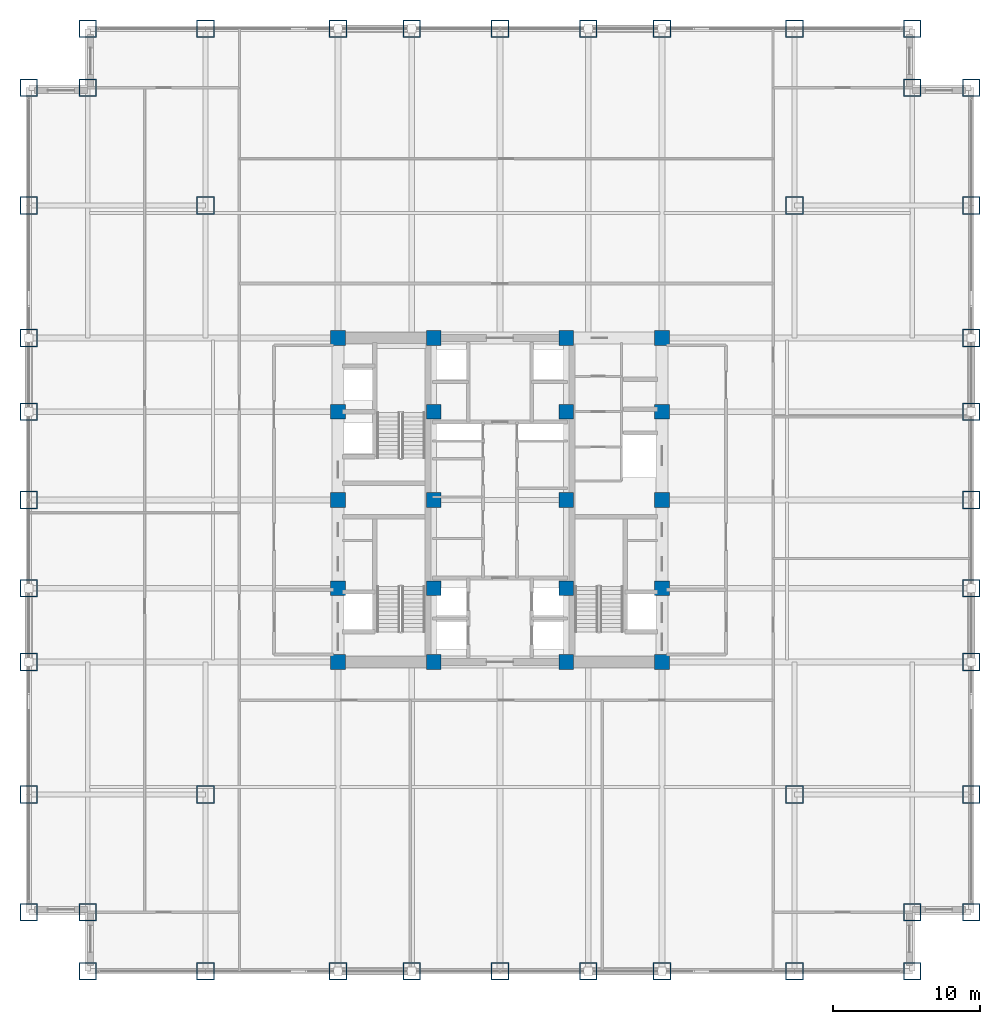
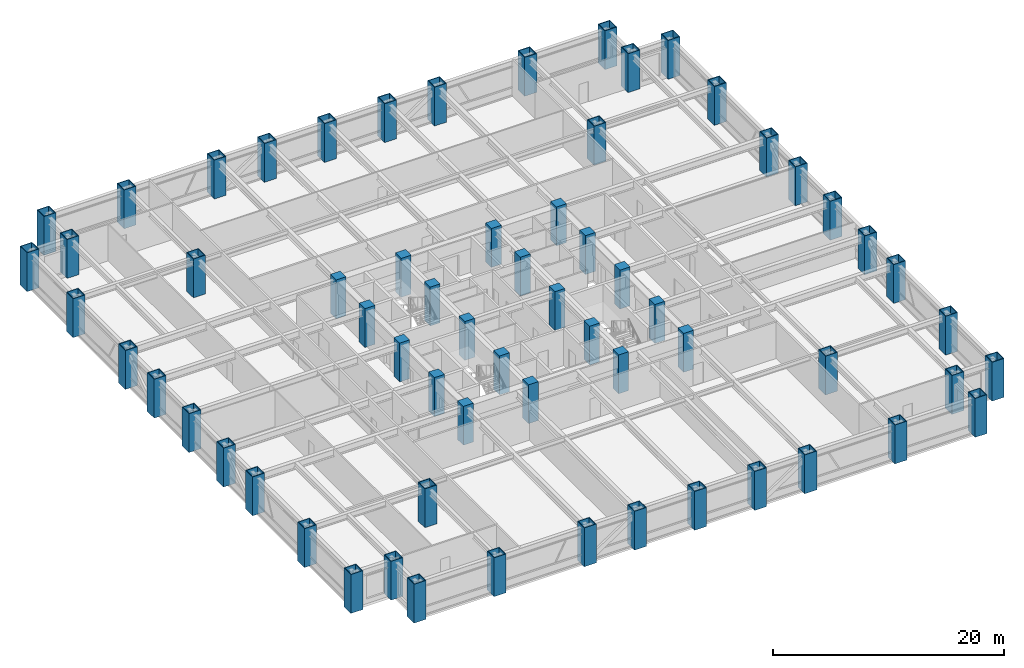
# One storey, part 1 of 27: 64 columns.
"""IFC4 building model written with IfcOpenShell, lengths in metres."""

from ifc_helpers import new_model, si_unit, direction, frame, origin, origin_2d, place, context, subcontext, project, spatial, rectangle, hollow_rectangle, extrude, source, transform, mapped, material, material_profile, profile_set, type_object, element, save


model = new_model("IFC4")

# Units and contexts
model_context = context("Model", 3, precision=1e-05, world=origin(), true_north=direction((0.0, 1.0)))
body_context = subcontext(model_context, "Body", "Model", "MODEL_VIEW")
ifc_project = project(units=[si_unit("LENGTHUNIT", "METRE"), si_unit("AREAUNIT", "SQUARE_METRE"), si_unit("VOLUMEUNIT", "CUBIC_METRE"), si_unit("PLANEANGLEUNIT", "RADIAN"), si_unit("MASSUNIT", "GRAM", prefix="KILO")], contexts=[model_context])

# Site, building, storey
site_placement = place(None, origin())
site = spatial("IfcSite", under=ifc_project, at=site_placement, CompositionType="ELEMENT")
building_placement = place(site_placement, origin())
building = spatial("IfcBuilding", under=site, at=building_placement, Name="Khorayat Bourse Tower", CompositionType="ELEMENT")
storey_placement = place(building_placement, frame((0.0, 0.0, 111.89990234375)))
storey = spatial("IfcBuildingStorey", under=building, at=storey_placement, Name="L25", CompositionType="ELEMENT", Elevation=111.89990234375)

# Columns
ifc_material_1 = material(Name="Steel EN 10025-4 S460M", Category="steel")
ifc_material_profile_1 = material_profile(ifc_material_1, hollow_rectangle(XDim=1.199951171875, YDim=1.199951171875, WallThickness=0.070068359375, at=origin_2d()), Name="BOX 1200x1200x70")
ifc_profile_set_1 = profile_set([ifc_material_profile_1], Name="Steel EN 10025-4 S460M")
column_type_1 = type_object("IfcColumnType", Name="COL-TUBE-1200", PredefinedType="COLUMN", material=ifc_profile_set_1)
shared_shape_1 = source(origin(), body_context, "Body", "SweptSolid", [
    extrude(hollow_rectangle(XDim=1.199951171875, YDim=1.199951171875, WallThickness=0.070068359375, at=origin_2d()), origin(), (0.0, 0.0, 1.0), 4.10009765625),
])
for number, where, z_axis, x_axis, name in (
    (1, (-32.0, -28.0, 0.0), (0.0, 0.0, 1.0), (1.0, 0.0, 0.0), "L25 Column 001"),
    (2, (-32.0, -20.0, 0.0), (0.0, 0.0, 1.0), (1.0, 0.0, 0.0), "L25 Column 002"),
    (3, (-32.0, -11.0, 0.0), (0.0, 0.0, 1.0), (1.0, 0.0, 0.0), "L25 Column 003"),
    (4, (-32.0, -6.0, 0.0), (0.0, 0.0, 1.0), (1.0, 0.0, 0.0), "L25 Column 004"),
    (5, (-32.0, 0.0, 0.0), (0.0, 0.0, 1.0), (1.0, 0.0, 0.0), "L25 Column 005"),
    (6, (-32.0, 6.0, 0.0), (0.0, 0.0, 1.0), (1.0, 0.0, 0.0), "L25 Column 006"),
    (7, (-32.0, 11.0, 0.0), (0.0, 0.0, 1.0), (1.0, 0.0, 0.0), "L25 Column 007"),
    (8, (-32.0, 20.0, 0.0), (0.0, 0.0, 1.0), (1.0, 0.0, 0.0), "L25 Column 008"),
    (9, (-32.0, 28.0, 0.0), (0.0, 0.0, 1.0), (1.0, 0.0, 0.0), "L25 Column 009"),
    (10, (-28.0, -32.0, 0.0), (0.0, 0.0, 1.0), (1.0, 0.0, 0.0), "L25 Column 010"),
    (11, (-28.0, -28.0, 0.0), (0.0, 0.0, 1.0), (1.0, 0.0, 0.0), "L25 Column 011"),
    (12, (-28.0, 28.0, 0.0), (0.0, 0.0, 1.0), (1.0, 0.0, 0.0), "L25 Column 012"),
    (13, (-28.0, 32.0, 0.0), (0.0, 0.0, 1.0), (1.0, 0.0, 0.0), "L25 Column 013"),
    (14, (-20.0, -32.0, 0.0), (0.0, 0.0, 1.0), (1.0, 0.0, 0.0), "L25 Column 014"),
    (15, (-20.0, -20.0, 0.0), (0.0, 0.0, 1.0), (1.0, 0.0, 0.0), "L25 Column 015"),
    (16, (-20.0, 20.0, 0.0), (0.0, 0.0, 1.0), (1.0, 0.0, 0.0), "L25 Column 016"),
    (17, (-20.0, 32.0, 0.0), (0.0, 0.0, 1.0), (1.0, 0.0, 0.0), "L25 Column 017"),
    (18, (-11.0, -32.0, 0.0), (0.0, 0.0, 1.0), (1.0, 0.0, 0.0), "L25 Column 018"),
    (19, (-11.0, 32.0, 0.0), (0.0, 0.0, 1.0), (1.0, 0.0, 0.0), "L25 Column 024"),
    (20, (-6.0, -32.0, 0.0), (0.0, 0.0, 1.0), (1.0, 0.0, 0.0), "L25 Column 025"),
    (21, (-6.0, 32.0, 0.0), (0.0, 0.0, 1.0), (1.0, 0.0, 0.0), "L25 Column 026"),
    (22, (0.0, -32.0, 0.0), (0.0, 0.0, 1.0), (1.0, 0.0, 0.0), "L25 Column 032"),
    (23, (0.0, 32.0, 0.0), (0.0, 0.0, 1.0), (1.0, 0.0, 0.0), "L25 Column 033"),
    (24, (6.0, -32.0, 0.0), (0.0, 0.0, 1.0), (1.0, 0.0, 0.0), "L25 Column 039"),
    (25, (6.0, 32.0, 0.0), (0.0, 0.0, 1.0), (1.0, 0.0, 0.0), "L25 Column 040"),
    (26, (11.0, -32.0, 0.0), (0.0, 0.0, 1.0), (1.0, 0.0, 0.0), "L25 Column 041"),
    (27, (11.0, 32.0, 0.0), (0.0, 0.0, 1.0), (1.0, 0.0, 0.0), "L25 Column 047"),
    (28, (20.0, -32.0, 0.0), (0.0, 0.0, 1.0), (1.0, 0.0, 0.0), "L25 Column 048"),
    (29, (20.0, -20.0, 0.0), (0.0, 0.0, 1.0), (1.0, 0.0, 0.0), "L25 Column 049"),
    (30, (20.0, 20.0, 0.0), (0.0, 0.0, 1.0), (1.0, 0.0, 0.0), "L25 Column 050"),
    (31, (20.0, 32.0, 0.0), (0.0, 0.0, 1.0), (1.0, 0.0, 0.0), "L25 Column 051"),
    (32, (28.0, -32.0, 0.0), (0.0, 0.0, 1.0), (1.0, 0.0, 0.0), "L25 Column 052"),
    (33, (28.0, -28.0, 0.0), (0.0, 0.0, 1.0), (1.0, 0.0, 0.0), "L25 Column 053"),
    (34, (28.0, 28.0, 0.0), (0.0, 0.0, 1.0), (1.0, 0.0, 0.0), "L25 Column 054"),
    (35, (28.0, 32.0, 0.0), (0.0, 0.0, 1.0), (1.0, 0.0, 0.0), "L25 Column 055"),
    (36, (32.0, -28.0, 0.0), (0.0, 0.0, 1.0), (1.0, 0.0, 0.0), "L25 Column 056"),
    (37, (32.0, -20.0, 0.0), (0.0, 0.0, 1.0), (1.0, 0.0, 0.0), "L25 Column 057"),
    (38, (32.0, -11.0, 0.0), (0.0, 0.0, 1.0), (1.0, 0.0, 0.0), "L25 Column 058"),
    (39, (32.0, -6.0, 0.0), (0.0, 0.0, 1.0), (1.0, 0.0, 0.0), "L25 Column 059"),
    (40, (32.0, 0.0, 0.0), (0.0, 0.0, 1.0), (1.0, 0.0, 0.0), "L25 Column 060"),
    (41, (32.0, 6.0, 0.0), (0.0, 0.0, 1.0), (1.0, 0.0, 0.0), "L25 Column 061"),
    (42, (32.0, 11.0, 0.0), (0.0, 0.0, 1.0), (1.0, 0.0, 0.0), "L25 Column 062"),
    (43, (32.0, 20.0, 0.0), (0.0, 0.0, 1.0), (1.0, 0.0, 0.0), "L25 Column 063"),
    (44, (32.0, 28.0, 0.0), (0.0, 0.0, 1.0), (1.0, 0.0, 0.0), "L25 Column 064"),
):
    element("IfcColumn", number, at=place(storey_placement, frame(where, z_axis=z_axis, x_axis=x_axis)), inside=storey, type_object=column_type_1, Name=name, PredefinedType="COLUMN", context=body_context, shape_type="MappedRepresentation", body=[
        mapped(shared_shape_1, transform((0.0, 0.0, 0.0), scale=1.0)),
    ])
ifc_material_2 = material(Name="Concrete C72/90", Category="concrete")
ifc_material_profile_2 = material_profile(ifc_material_2, rectangle(XDim=1.0, YDim=1.0, at=origin_2d()), Name="RC 1000x1000")
ifc_profile_set_2 = profile_set([ifc_material_profile_2], Name="Concrete C72/90")
column_type_2 = type_object("IfcColumnType", Name="COL-CORE-1000", PredefinedType="COLUMN", material=ifc_profile_set_2)
shared_shape_2 = source(origin(), body_context, "Body", "SweptSolid", [
    extrude(rectangle(XDim=1.0, YDim=1.0, at=origin_2d()), origin(), (0.0, 0.0, 1.0), 4.10009765625),
])
for number, where, z_axis, x_axis, name in (
    (45, (-11.0, -11.0, 0.0), (0.0, 0.0, 1.0), (1.0, 0.0, 0.0), "L25 Column 019"),
    (46, (-11.0, -6.0, 0.0), (0.0, 0.0, 1.0), (1.0, 0.0, 0.0), "L25 Column 020"),
    (47, (-11.0, 0.0, 0.0), (0.0, 0.0, 1.0), (1.0, 0.0, 0.0), "L25 Column 021"),
    (48, (-11.0, 6.0, 0.0), (0.0, 0.0, 1.0), (1.0, 0.0, 0.0), "L25 Column 022"),
    (49, (-11.0, 11.0, 0.0), (0.0, 0.0, 1.0), (1.0, 0.0, 0.0), "L25 Column 023"),
    (50, (-4.5, -11.0, 0.0), (0.0, 0.0, 1.0), (1.0, 0.0, 0.0), "L25 Column 027"),
    (51, (-4.5, -6.0, 0.0), (0.0, 0.0, 1.0), (1.0, 0.0, 0.0), "L25 Column 028"),
    (52, (-4.5, 0.0, 0.0), (0.0, 0.0, 1.0), (1.0, 0.0, 0.0), "L25 Column 029"),
    (53, (-4.5, 6.0, 0.0), (0.0, 0.0, 1.0), (1.0, 0.0, 0.0), "L25 Column 030"),
    (54, (-4.5, 11.0, 0.0), (0.0, 0.0, 1.0), (1.0, 0.0, 0.0), "L25 Column 031"),
    (55, (4.5, -11.0, 0.0), (0.0, 0.0, 1.0), (1.0, 0.0, 0.0), "L25 Column 034"),
    (56, (4.5, -6.0, 0.0), (0.0, 0.0, 1.0), (1.0, 0.0, 0.0), "L25 Column 035"),
    (57, (4.5, 0.0, 0.0), (0.0, 0.0, 1.0), (1.0, 0.0, 0.0), "L25 Column 036"),
    (58, (4.5, 6.0, 0.0), (0.0, 0.0, 1.0), (1.0, 0.0, 0.0), "L25 Column 037"),
    (59, (4.5, 11.0, 0.0), (0.0, 0.0, 1.0), (1.0, 0.0, 0.0), "L25 Column 038"),
    (60, (11.0, -11.0, 0.0), (0.0, 0.0, 1.0), (1.0, 0.0, 0.0), "L25 Column 042"),
    (61, (11.0, -6.0, 0.0), (0.0, 0.0, 1.0), (1.0, 0.0, 0.0), "L25 Column 043"),
    (62, (11.0, 0.0, 0.0), (0.0, 0.0, 1.0), (1.0, 0.0, 0.0), "L25 Column 044"),
    (63, (11.0, 6.0, 0.0), (0.0, 0.0, 1.0), (1.0, 0.0, 0.0), "L25 Column 045"),
    (64, (11.0, 11.0, 0.0), (0.0, 0.0, 1.0), (1.0, 0.0, 0.0), "L25 Column 046"),
):
    element("IfcColumn", number, at=place(storey_placement, frame(where, z_axis=z_axis, x_axis=x_axis)), inside=storey, type_object=column_type_2, Name=name, PredefinedType="COLUMN", context=body_context, shape_type="MappedRepresentation", body=[
        mapped(shared_shape_2, transform((0.0, 0.0, 0.0), scale=1.0)),
    ])

save(model, "model.ifc")
